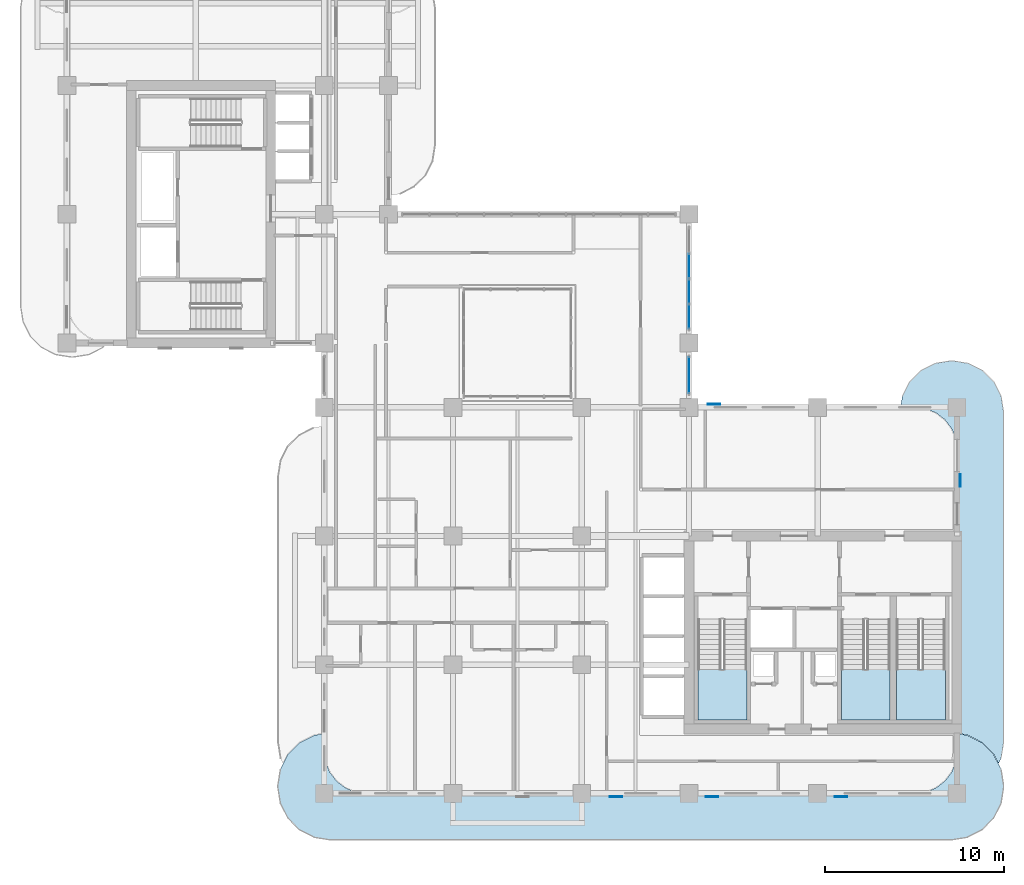
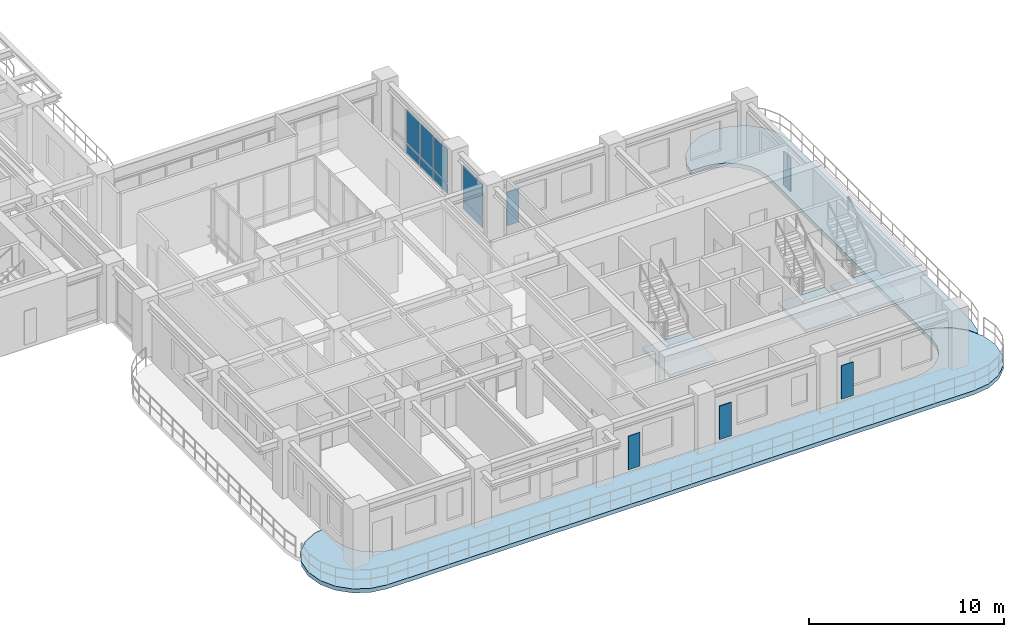
# One storey, part 9 of 20: 13 plates, 5 slabs, 5 elements without a shape of their own.
"""IFC4 building model written with IfcOpenShell, lengths in metres."""

from ifc_helpers import new_model, si_unit, derived_unit, direction, frame, origin, origin_2d, place, context, subcontext, project, spatial, polyline, rectangle, outline, extrude, source, transform, mapped, material, layer, layer_set, type_object, type_shapes, element, aggregate, save


model = new_model("IFC4")

# Units and contexts
model_context = context("Model", 3, precision=1e-05, world=origin(), true_north=direction((0.0, 1.0)))
body_context = subcontext(model_context, "Body", "Model", "MODEL_VIEW")
ifc_project = project(units=[si_unit("LENGTHUNIT", "METRE"), si_unit("AREAUNIT", "SQUARE_METRE"), si_unit("VOLUMEUNIT", "CUBIC_METRE"), si_unit("PLANEANGLEUNIT", "RADIAN"), si_unit("MASSUNIT", "GRAM", prefix="KILO"), si_unit("THERMODYNAMICTEMPERATUREUNIT", "KELVIN"), si_unit("POWERUNIT", "WATT"), derived_unit("THERMALTRANSMITTANCEUNIT", [(si_unit("POWERUNIT", "WATT"), 1), (si_unit("AREAUNIT", "SQUARE_METRE"), -1), (si_unit("THERMODYNAMICTEMPERATUREUNIT", "KELVIN"), -1)])], contexts=[model_context])

# Site, building, storey
site_placement = place(None, origin())
site = spatial("IfcSite", under=ifc_project, at=site_placement, CompositionType="ELEMENT")
building_placement = place(site_placement, origin())
building = spatial("IfcBuilding", under=site, at=building_placement, Name="Zahravan Archway Hotel and Residences", CompositionType="ELEMENT")
storey_placement = place(building_placement, frame((0.0, 0.0, 130.300048828125)))
storey = spatial("IfcBuildingStorey", under=building, at=storey_placement, Name="L32", CompositionType="ELEMENT", Elevation=130.300048828125)

# Slabs
ifc_material_1 = material(Name="Concrete C45/55", Category="concrete")
ifc_layer_1 = layer(ifc_material_1, 0.25, Name="Concrete C45/55", Category="concrete")
ifc_layer_set_1 = layer_set([ifc_layer_1], Name="Concrete C45/55")
slab_type_1 = type_object("IfcSlabType", Name="SLB-BALC-250", PredefinedType="FLOOR", material=ifc_layer_set_1)
slab_1_placement = place(storey_placement, frame((0.0, 0.0, -0.25)))
element("IfcSlab", 1, at=slab_1_placement, inside=storey, type_object=slab_type_1, Name="L32 Wing A South Rounded Balcony Band", PredefinedType="FLOOR", context=body_context, shape_type="SweptSolid", body=[
    extrude(outline(polyline([(50.361572265625, 3.255615234375), (51.18408203125, 2.836669921875), (51.836669921875, 2.18408203125), (52.255615234375, 1.361572265625), (52.39990234375, 0.449951171875), (52.39990234375, 0.35009765625), (52.255615234375, -0.5615234375), (51.836669921875, -1.384033203125), (51.18408203125, -2.03662109375), (50.361572265625, -2.45556640625), (49.449951171875, -2.60009765625), (14.75, -2.60009765625), (13.83837890625, -2.45556640625), (13.01611328125, -2.03662109375), (12.36328125, -1.384033203125), (11.9443359375, -0.5615234375), (11.800048828125, 0.35009765625), (11.800048828125, 0.449951171875), (11.9443359375, 1.361572265625), (12.36328125, 2.18408203125), (13.01611328125, 2.836669921875), (13.83837890625, 3.255615234375), (14.3798828125, 3.34130859375), (14.3798828125, 2.39990234375), (14.380126953125, 2.3974609375), (14.4619140625, 1.776123046875), (14.46240234375, 1.7744140625), (14.462646484375, 1.772705078125), (14.46337890625, 1.77099609375), (14.702880859375, 1.1923828125), (14.703857421875, 1.19091796875), (14.70458984375, 1.189208984375), (14.70556640625, 1.187744140625), (15.0869140625, 0.690673828125), (15.088134765625, 0.689453125), (15.08935546875, 0.688232421875), (15.0908203125, 0.68701171875), (15.587890625, 0.3056640625), (15.58935546875, 0.3046875), (15.5908203125, 0.3037109375), (15.59228515625, 0.302978515625), (16.171142578125, 0.063232421875), (16.1728515625, 0.062744140625), (16.174560546875, 0.062255859375), (16.17626953125, 0.06201171875), (16.79736328125, -0.019775390625), (16.800048828125, -0.02001953125), (47.39990234375, -0.02001953125), (47.402587890625, -0.019775390625), (48.023681640625, 0.06201171875), (48.025390625, 0.062255859375), (48.027099609375, 0.062744140625), (48.02880859375, 0.063232421875), (48.607666015625, 0.302978515625), (48.609130859375, 0.3037109375), (48.610595703125, 0.3046875), (48.6123046875, 0.3056640625), (49.109375, 0.68701171875), (49.110595703125, 0.688232421875), (49.11181640625, 0.689453125), (49.113037109375, 0.690673828125), (49.494384765625, 1.187744140625), (49.495361328125, 1.189208984375), (49.49609375, 1.19091796875), (49.4970703125, 1.1923828125), (49.73681640625, 1.77099609375), (49.7373046875, 1.772705078125), (49.73779296875, 1.7744140625), (49.738037109375, 1.776123046875), (49.81982421875, 2.3974609375), (49.820068359375, 2.39990234375), (49.820068359375, 3.34130859375), (50.361572265625, 3.255615234375)])), origin(), (0.0, 0.0, 1.0), 0.25),
])
slab_2_placement = place(storey_placement, frame((0.0, 0.0, -0.25)))
element("IfcSlab", 2, at=slab_2_placement, inside=storey, type_object=slab_type_1, Name="L32 Wing A East Rounded Balcony Band", PredefinedType="FLOOR", context=body_context, shape_type="SweptSolid", body=[
    extrude(outline(polyline([(46.739501953125, 22.230712890625), (47.144287109375, 23.025146484375), (47.77490234375, 23.65576171875), (48.5693359375, 24.060546875), (49.449951171875, 24.199951171875), (49.550048828125, 24.199951171875), (50.4306640625, 24.060546875), (51.22509765625, 23.65576171875), (51.855712890625, 23.025146484375), (52.260498046875, 22.230712890625), (52.39990234375, 21.35009765625), (52.39990234375, 2.85009765625), (52.260498046875, 1.96923828125), (52.114501953125, 1.6826171875), (51.8544921875, 2.193115234375), (51.853515625, 2.19482421875), (51.85205078125, 2.196533203125), (51.8505859375, 2.197998046875), (51.197998046875, 2.8505859375), (51.196533203125, 2.85205078125), (51.19482421875, 2.853515625), (51.193115234375, 2.8544921875), (50.37060546875, 3.2734375), (50.368896484375, 3.2744140625), (50.36669921875, 3.27490234375), (50.36474609375, 3.275390625), (49.822998046875, 3.361083984375), (49.8212890625, 3.361328125), (49.820068359375, 3.361328125), (49.820068359375, 19.199951171875), (49.81982421875, 19.20263671875), (49.738037109375, 19.82373046875), (49.73779296875, 19.825439453125), (49.7373046875, 19.8271484375), (49.73681640625, 19.828857421875), (49.4970703125, 20.40771484375), (49.49609375, 20.4091796875), (49.495361328125, 20.41064453125), (49.494384765625, 20.412109375), (49.113037109375, 20.9091796875), (49.11181640625, 20.91064453125), (49.110595703125, 20.911865234375), (49.109375, 20.9130859375), (48.6123046875, 21.29443359375), (48.610595703125, 21.29541015625), (48.609130859375, 21.296142578125), (48.607666015625, 21.297119140625), (48.02880859375, 21.53662109375), (48.027099609375, 21.537353515625), (48.025390625, 21.53759765625), (48.023681640625, 21.5380859375), (47.402587890625, 21.619873046875), (47.39990234375, 21.6201171875), (46.642822265625, 21.6201171875), (46.739501953125, 22.230712890625)])), origin(), (0.0, 0.0, 1.0), 0.25),
])

# Stair, slab
ifc_material_2 = material(Name="Concrete C50/60", Category="concrete")
stair_type = type_object("IfcStairType", Name="STR-CORE-1300", PredefinedType="HALF_TURN_STAIR", material=ifc_material_2)
stair_1_placement = place(storey_placement, origin())
stair_1 = element("IfcStair", 3, at=stair_1_placement, inside=storey, type_object=stair_type, Name="L32 Core A Exit Stair 1", PredefinedType="HALF_TURN_STAIR")
ifc_layer_2 = layer(ifc_material_2, 0.199951171875, Name="Concrete C50/60", Category="concrete")
ifc_layer_set_2 = layer_set([ifc_layer_2], Name="Concrete C50/60")
slab_type_2 = type_object("IfcSlabType", Name="SLB-LND-200", PredefinedType="LANDING", material=ifc_layer_set_2)
slab_3_placement = place(storey_placement, frame((0.0, 0.0, 1.64990234375)))
slab_3 = element("IfcSlab", 4, at=slab_3_placement, type_object=slab_type_2, Name="ST-A1 landing 1", PredefinedType="LANDING", context=body_context, shape_type="SweptSolid", body=[
    extrude(outline(polyline([(35.300048828125, 6.929931640625), (35.300048828125, 4.10009765625), (38.0400390625, 4.10009765625), (38.0400390625, 6.929931640625), (35.300048828125, 6.929931640625)])), origin(), (0.0, 0.0, 1.0), 0.199951171875),
])
aggregate(stair_1, [slab_3])

stair_2_placement = place(storey_placement, origin())
stair_2 = element("IfcStair", 5, at=stair_2_placement, inside=storey, type_object=stair_type, Name="L32 Core A Exit Stair 2", PredefinedType="HALF_TURN_STAIR")
slab_4_placement = place(storey_placement, frame((0.0, 0.0, 1.64990234375)))
slab_4 = element("IfcSlab", 6, at=slab_4_placement, type_object=slab_type_2, Name="ST-A2 landing 1", PredefinedType="LANDING", context=body_context, shape_type="SweptSolid", body=[
    extrude(outline(polyline([(43.320068359375, 6.929931640625), (43.320068359375, 4.10009765625), (46.06005859375, 4.10009765625), (46.06005859375, 6.929931640625), (43.320068359375, 6.929931640625)])), origin(), (0.0, 0.0, 1.0), 0.199951171875),
])
aggregate(stair_2, [slab_4])

stair_3_placement = place(storey_placement, origin())
stair_3 = element("IfcStair", 7, at=stair_3_placement, inside=storey, type_object=stair_type, Name="L32 Core A Exit Stair 3", PredefinedType="HALF_TURN_STAIR")
slab_5_placement = place(storey_placement, frame((0.0, 0.0, 1.64990234375)))
slab_5 = element("IfcSlab", 8, at=slab_5_placement, type_object=slab_type_2, Name="ST-A3 landing 1", PredefinedType="LANDING", context=body_context, shape_type="SweptSolid", body=[
    extrude(outline(polyline([(46.39990234375, 6.929931640625), (46.39990234375, 4.10009765625), (49.139892578125, 4.10009765625), (49.139892578125, 6.929931640625), (46.39990234375, 6.929931640625)])), origin(), (0.0, 0.0, 1.0), 0.199951171875),
])
aggregate(stair_3, [slab_5])

# Plates
ifc_material_3 = material(Name="Perforated Cast Bronze Jali Lattice")
ifc_layer_3 = layer(ifc_material_3, 0.044921875, Name="Perforated Cast Bronze Jali Lattice")
ifc_layer_set_3 = layer_set([ifc_layer_3], Name="Perforated Cast Bronze Jali Lattice")
plate_type_1 = type_object("IfcPlateType", Name="PLT-JALI-BAY", PredefinedType="USERDEFINED", material=ifc_layer_set_3)
shared_shape_1 = source(origin(), body_context, "Body", "SweptSolid", [
    extrude(rectangle(XDim=0.699951171875, YDim=0.044921875, at=origin_2d()), origin(), (0.0, 0.0, 1.0), 2.10009765625),
])
type_shapes(plate_type_1, [shared_shape_1])
for number, where, z_axis, x_axis, name in (
    (9, (30.7080078125, -0.177978515625, 0.25), (0.0, 0.0, 1.0), (1.0, 0.0, 0.0), "L32 Perforated Bronze Jali Pier Screen 02"),
    (10, (36.10009765625, -0.177978515625, 0.25), (0.0, 0.0, 1.0), (1.0, 0.0, 0.0), "L32 Perforated Bronze Jali Pier Screen 03"),
    (11, (43.300048828125, -0.177978515625, 0.25), (0.0, 0.0, 1.0), (1.0, 0.0, 0.0), "L32 Perforated Bronze Jali Pier Screen 04"),
    (12, (49.97802734375, 17.509033203125, 0.25), (0.0, 0.0, 1.0), (0.0, 1.0, 0.0), "L32 Perforated Bronze Jali Pier Screen 05"),
    (13, (36.2080078125, 21.778076171875, 0.25), (0.0, 0.0, 1.0), (1.0, 0.0, 0.0), "L32 Perforated Bronze Jali Pier Screen 06"),
):
    element("IfcPlate", number, at=place(storey_placement, frame(where, z_axis=z_axis, x_axis=x_axis)), inside=storey, type_object=plate_type_1, Name=name, ObjectType="SCREEN", PredefinedType="USERDEFINED", context=body_context, shape_type="MappedRepresentation", body=[
        mapped(shared_shape_1, transform((0.0, 0.0, 0.0), scale=1.0)),
    ])

# Curtain wall, plates
ifc_material_4 = material(Name="Bronze-Anodized Unitised Aluminium & Low-E Glass", Category="aluminium")
ifc_layer_4 = layer(ifc_material_4, 0.179931640625, Name="Bronze-Anodized Unitised Aluminium & Low-E Glass", Category="aluminium")
ifc_layer_set_4 = layer_set([ifc_layer_4], Name="Bronze-Anodized Unitised Aluminium & Low-E Glass")
curtain_wall_type = type_object("IfcCurtainWallType", Name="CW-ATR-GLAZ", PredefinedType="NOTDEFINED", material=ifc_layer_set_4)
curtain_wall_1_placement = place(storey_placement, origin())
curtain_wall_1 = element("IfcCurtainWall", 14, at=curtain_wall_1_placement, inside=storey, type_object=curtain_wall_type, Name="L32 Curtain Wall CW-L32-HNG-E-1", PredefinedType="NOTDEFINED")
ifc_material_5 = material(Name="Insulated Terracotta Spandrel Panel", Category="masonry")
ifc_layer_5 = layer(ifc_material_5, 0.0400390625, Name="Insulated Terracotta Spandrel Panel", Category="masonry")
ifc_layer_set_5 = layer_set([ifc_layer_5], Name="Insulated Terracotta Spandrel Panel")
plate_type_2 = type_object("IfcPlateType", Name="CWP-SPN-40", PredefinedType="SHEET", material=ifc_layer_set_5)
shared_shape_2 = source(origin(), body_context, "Body", "SweptSolid", [
    extrude(rectangle(XDim=2.0, YDim=0.0400390625, at=origin_2d()), origin(), (0.0, 0.0, 1.0), 0.564453125),
])
plate_1_placement = place(storey_placement, frame((34.800048828125, 23.39990234375, 0.099853515625), z_axis=(0.0, 0.0, 1.0), x_axis=(0.0, 1.0, 0.0)))
plate_1 = element("IfcPlate", 15, at=plate_1_placement, type_object=plate_type_2, Name="CW-L32-HNG-E-1 Spandrel Panel 0", PredefinedType="SHEET", context=body_context, shape_type="MappedRepresentation", body=[
    mapped(shared_shape_2, transform((0.0, 0.0, 0.0), scale=1.0)),
])
ifc_material_6 = material(Name="Double-Silver Low-E Insulated Vision Glass", Category="glass")
ifc_layer_6 = layer(ifc_material_6, 0.028076171875, Name="Double-Silver Low-E Insulated Vision Glass", Category="glass")
ifc_layer_set_6 = layer_set([ifc_layer_6], Name="Double-Silver Low-E Insulated Vision Glass")
plate_type_3 = type_object("IfcPlateType", Name="CWP-GLZ-28", PredefinedType="CURTAIN_PANEL", material=ifc_layer_set_6)
shared_shape_3 = source(origin(), body_context, "Body", "SweptSolid", [
    extrude(rectangle(XDim=2.0, YDim=0.028076171875, at=origin_2d()), origin(), (0.0, 0.0, 1.0), 2.090576171875),
])
plate_2_placement = place(storey_placement, frame((34.800048828125, 23.39990234375, 0.744140625), z_axis=(0.0, 0.0, 1.0), x_axis=(0.0, 1.0, 0.0)))
plate_2 = element("IfcPlate", 16, at=plate_2_placement, type_object=plate_type_3, Name="CW-L32-HNG-E-1 Low-E Vision Panel 0", PredefinedType="CURTAIN_PANEL", context=body_context, shape_type="MappedRepresentation", body=[
    mapped(shared_shape_3, transform((0.0, 0.0, 0.0), scale=1.0)),
])
aggregate(curtain_wall_1, [plate_1, plate_2])

curtain_wall_2_placement = place(storey_placement, origin())
curtain_wall_2 = element("IfcCurtainWall", 17, at=curtain_wall_2_placement, inside=storey, type_object=curtain_wall_type, Name="L32 Curtain Wall CW-L32-HNG-E-2", PredefinedType="NOTDEFINED")
shared_shape_4 = source(origin(), body_context, "Body", "SweptSolid", [
    extrude(rectangle(XDim=1.340087890625, YDim=0.0400390625, at=origin_2d()), origin(), (0.0, 0.0, 1.0), 0.564453125),
])
plate_3_placement = place(storey_placement, frame((34.800048828125, 26.669921875, 0.099853515625), z_axis=(0.0, 0.0, 1.0), x_axis=(0.0, 1.0, 0.0)))
plate_3 = element("IfcPlate", 18, at=plate_3_placement, type_object=plate_type_2, Name="CW-L32-HNG-E-2 Spandrel Panel 0", PredefinedType="SHEET", context=body_context, shape_type="MappedRepresentation", body=[
    mapped(shared_shape_4, transform((0.0, 0.0, 0.0), scale=1.0)),
])
plate_4_placement = place(storey_placement, frame((34.800048828125, 28.090087890625, 0.099853515625), z_axis=(0.0, 0.0, 1.0), x_axis=(0.0, 1.0, 0.0)))
plate_4 = element("IfcPlate", 19, at=plate_4_placement, type_object=plate_type_2, Name="CW-L32-HNG-E-2 Spandrel Panel 1", PredefinedType="SHEET", context=body_context, shape_type="MappedRepresentation", body=[
    mapped(shared_shape_4, transform((0.0, 0.0, 0.0), scale=1.0)),
])
plate_5_placement = place(storey_placement, frame((34.800048828125, 29.510009765625, 0.099853515625), z_axis=(0.0, 0.0, 1.0), x_axis=(0.0, 1.0, 0.0)))
plate_5 = element("IfcPlate", 20, at=plate_5_placement, type_object=plate_type_2, Name="CW-L32-HNG-E-2 Spandrel Panel 2", PredefinedType="SHEET", context=body_context, shape_type="MappedRepresentation", body=[
    mapped(shared_shape_4, transform((0.0, 0.0, 0.0), scale=1.0)),
])
shared_shape_5 = source(origin(), body_context, "Body", "SweptSolid", [
    extrude(rectangle(XDim=1.340087890625, YDim=0.028076171875, at=origin_2d()), origin(), (0.0, 0.0, 1.0), 2.090576171875),
])
plate_6_placement = place(storey_placement, frame((34.800048828125, 26.669921875, 0.744140625), z_axis=(0.0, 0.0, 1.0), x_axis=(0.0, 1.0, 0.0)))
plate_6 = element("IfcPlate", 21, at=plate_6_placement, type_object=plate_type_3, Name="CW-L32-HNG-E-2 Low-E Vision Panel 0", PredefinedType="CURTAIN_PANEL", context=body_context, shape_type="MappedRepresentation", body=[
    mapped(shared_shape_5, transform((0.0, 0.0, 0.0), scale=1.0)),
])
plate_7_placement = place(storey_placement, frame((34.800048828125, 28.090087890625, 0.744140625), z_axis=(0.0, 0.0, 1.0), x_axis=(0.0, 1.0, 0.0)))
plate_7 = element("IfcPlate", 22, at=plate_7_placement, type_object=plate_type_3, Name="CW-L32-HNG-E-2 Low-E Vision Panel 1", PredefinedType="CURTAIN_PANEL", context=body_context, shape_type="MappedRepresentation", body=[
    mapped(shared_shape_5, transform((0.0, 0.0, 0.0), scale=1.0)),
])
plate_8_placement = place(storey_placement, frame((34.800048828125, 29.510009765625, 0.744140625), z_axis=(0.0, 0.0, 1.0), x_axis=(0.0, 1.0, 0.0)))
plate_8 = element("IfcPlate", 23, at=plate_8_placement, type_object=plate_type_3, Name="CW-L32-HNG-E-2 Low-E Vision Panel 2", PredefinedType="CURTAIN_PANEL", context=body_context, shape_type="MappedRepresentation", body=[
    mapped(shared_shape_5, transform((0.0, 0.0, 0.0), scale=1.0)),
])
aggregate(curtain_wall_2, [plate_3, plate_6, plate_4, plate_7, plate_5, plate_8])

save(model, "model.ifc")
